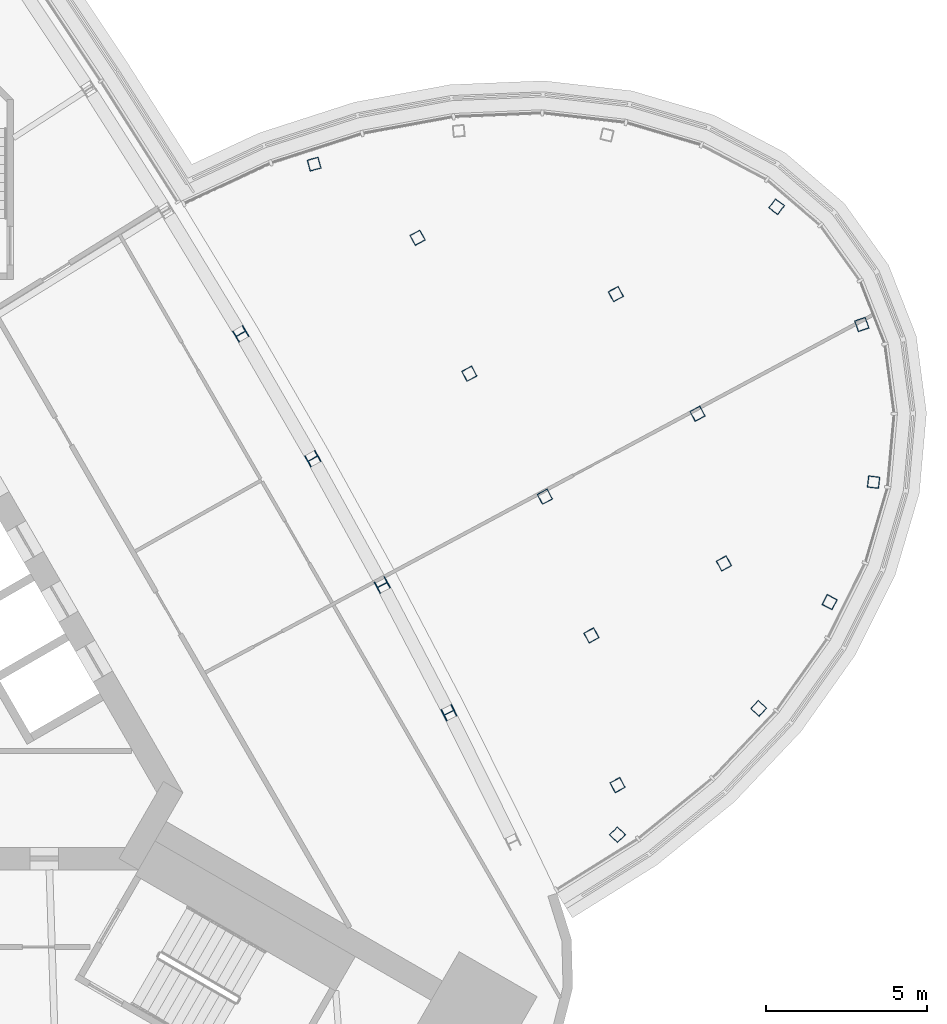
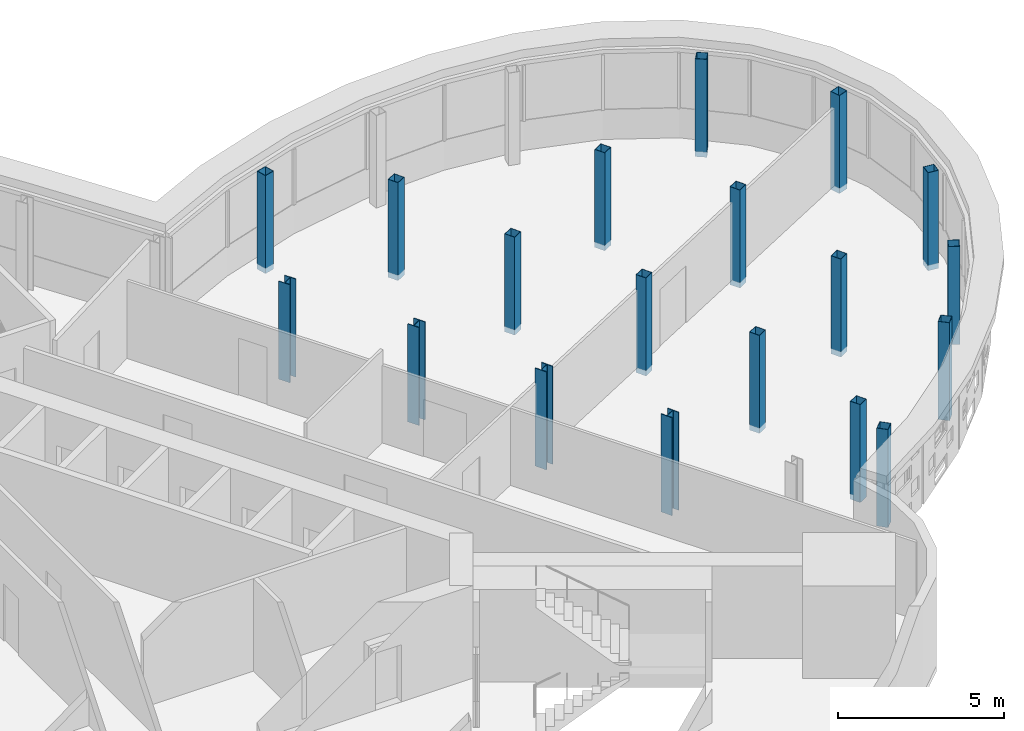
# One storey, part 2 of 15: 19 columns.
"""IFC4 building model written with IfcOpenShell, lengths in metres."""

from ifc_helpers import new_model, si_unit, direction, frame, origin, origin_2d, place, context, subcontext, project, spatial, hollow_rectangle, i_section, extrude, material, material_profile, profile_set, type_object, element, save


model = new_model("IFC4")

# Units and contexts
model_context = context("Model", 3, precision=1e-05, world=origin(), true_north=direction((0.0, 1.0)))
body_context = subcontext(model_context, "Body", "Model", "MODEL_VIEW")
ifc_project = project(units=[si_unit("LENGTHUNIT", "METRE"), si_unit("AREAUNIT", "SQUARE_METRE"), si_unit("VOLUMEUNIT", "CUBIC_METRE"), si_unit("PLANEANGLEUNIT", "RADIAN"), si_unit("MASSUNIT", "GRAM", prefix="KILO")], contexts=[model_context])

# Site, building, storey
site_placement = place(None, origin())
site = spatial("IfcSite", under=ifc_project, at=site_placement, CompositionType="ELEMENT")
building_placement = place(site_placement, origin())
building = spatial("IfcBuilding", under=site, at=building_placement, Name="Noor Cloister Tower", CompositionType="ELEMENT")
storey_placement = place(building_placement, frame((0.0, 0.0, 174.300048828125)))
storey = spatial("IfcBuildingStorey", under=building, at=storey_placement, Name="L44", CompositionType="ELEMENT", Elevation=174.300048828125)

# Columns
ifc_material_1 = material(Name="Steel ASTM A992 Gr 50", Category="steel")
ifc_material_profile_1 = material_profile(ifc_material_1, i_section(OverallWidth=0.39404296875, OverallDepth=0.3759765625, WebThickness=0.017333984375, FlangeThickness=0.027587890625, FilletRadius=0.01513671875, at=origin_2d()), Name="W360x216")
ifc_profile_set_1 = profile_set([ifc_material_profile_1], Name="Steel ASTM A992 Gr 50")
column_type_1 = type_object("IfcColumnType", Name="Column W360x216", PredefinedType="COLUMN", material=ifc_profile_set_1)
for number, where, z_axis, x_axis, name in (
    (1, (18.899658203125, -2.0390625, -0.199951171875), (0.0, 0.0, 1.0), (-0.453461072156, 0.89127608295, 0.0), "Column NE 02 L44"),
    (2, (16.822265625, 1.939453125, -0.199951171875), (0.0, 0.0, 1.0), (-0.472236585126, 0.881471841676, 0.0), "Column NE 03 L44"),
    (3, (14.660888671875, 5.873291015625, -0.199951171875), (0.0, 0.0, 1.0), (-0.490800232426, 0.87127213421, 0.0), "Column NE 04 L44"),
    (4, (12.416748046875, 9.760009765625, -0.199951171875), (0.0, 0.0, 1.0), (-0.509143685622, 0.860681536569, 0.0), "Column NE 05 L44"),
):
    element("IfcColumn", number, at=place(storey_placement, frame(where, z_axis=z_axis, x_axis=x_axis)), inside=storey, type_object=column_type_1, Name=name, PredefinedType="COLUMN", context=body_context, shape_type="SweptSolid", body=[
        extrude(i_section(OverallWidth=0.39404296875, OverallDepth=0.3759765625, WebThickness=0.017333984375, FlangeThickness=0.027587890625, FilletRadius=0.01513671875, at=origin_2d()), origin(), (0.0, 0.0, 1.0), 3.599853515625),
    ])
ifc_material_2 = material(Name="Steel ASTM A500 Gr C", Category="steel")
ifc_material_profile_2 = material_profile(ifc_material_2, hollow_rectangle(XDim=0.35595703125, YDim=0.35595703125, WallThickness=0.0126953125, at=origin_2d()), Name="HSS355.6x355.6x12.7")
ifc_profile_set_2 = profile_set([ifc_material_profile_2], Name="Steel ASTM A500 Gr C")
column_type_2 = type_object("IfcColumnType", Name="Pod post HSS355.6x355.6x12.7", PredefinedType="COLUMN", material=ifc_profile_set_2)
for number, where, z_axis, x_axis, name in (
    (5, (24.14697265625, -4.292724609375, -0.199951171875), (0.0, 0.0, 1.0), (0.878721830088, 0.477334207162, 0.0), "Pod post 3 L44 line 1 node 1"),
    (6, (23.334228515625, 0.369873046875, -0.199951171875), (0.0, 0.0, 1.0), (0.878721830088, 0.477334207162, 0.0), "Pod post 3 L44 line 2 node 1"),
    (7, (27.46044921875, 2.611328125, -0.199951171875), (0.0, 0.0, 1.0), (0.878721830088, 0.477334207162, 0.0), "Pod post 3 L44 line 2 node 2"),
    (8, (21.883056640625, 4.688720703125, -0.199951171875), (0.0, 0.0, 1.0), (0.878721830088, 0.477334207162, 0.0), "Pod post 3 L44 line 3 node 1"),
    (9, (26.63916015625, 7.272216796875, -0.199951171875), (0.0, 0.0, 1.0), (0.878721830088, 0.477334207162, 0.0), "Pod post 3 L44 line 3 node 2"),
    (10, (19.531005859375, 8.518798828125, -0.199951171875), (0.0, 0.0, 1.0), (0.878721830088, 0.477334207162, 0.0), "Pod post 3 L44 line 4 node 1"),
    (11, (24.0947265625, 10.997802734375, -0.199951171875), (0.0, 0.0, 1.0), (0.878721830088, 0.477334207162, 0.0), "Pod post 3 L44 line 4 node 2"),
    (12, (17.92236328125, 12.7509765625, -0.199951171875), (0.0, 0.0, 1.0), (0.878721830088, 0.477334207162, 0.0), "Pod post 3 L44 line 5 node 1"),
    (13, (24.144775390625, -5.838134765625, -0.199951171875), (0.0, 0.0, 1.0), (0.702740238121, 0.711446524853, 0.0), "Pod post 3 L44 ring 2"),
    (14, (28.541748046875, -1.9052734375, -0.199951171875), (0.0, 0.0, 1.0), (0.673877697356, 0.738842912266, 0.0), "Pod post 3 L44 ring 3"),
    (15, (30.75244140625, 1.406494140625, -0.199951171875), (0.0, 0.0, 1.0), (0.452688811831, 0.891668570514, 0.0), "Pod post 3 L44 ring 4"),
    (16, (32.119873046875, 5.142333984375, -0.199951171875), (0.0, 0.0, 1.0), (0.115028328529, 0.993362211701, 0.0), "Pod post 3 L44 ring 5"),
    (17, (31.75341796875, 10.05029296875, -0.199951171875), (0.0, 0.0, 1.0), (-0.332034673328, 0.943267181507, 0.0), "Pod post 3 L44 ring 6"),
    (18, (29.101318359375, 13.717529296875, -0.199951171875), (0.0, 0.0, 1.0), (-0.802221828229, 0.597026078419, 0.0), "Pod post 3 L44 ring 7"),
    (19, (14.700439453125, 15.043701171875, -0.199951171875), (0.0, 0.0, 1.0), (-0.965114642202, -0.261827667382, 0.0), "Pod post 3 L44 ring 10"),
):
    element("IfcColumn", number, at=place(storey_placement, frame(where, z_axis=z_axis, x_axis=x_axis)), inside=storey, type_object=column_type_2, Name=name, PredefinedType="COLUMN", context=body_context, shape_type="SweptSolid", body=[
        extrude(hollow_rectangle(XDim=0.35595703125, YDim=0.35595703125, WallThickness=0.0126953125, at=origin_2d()), origin(), (0.0, 0.0, 1.0), 3.599853515625),
    ])

save(model, "model.ifc")
